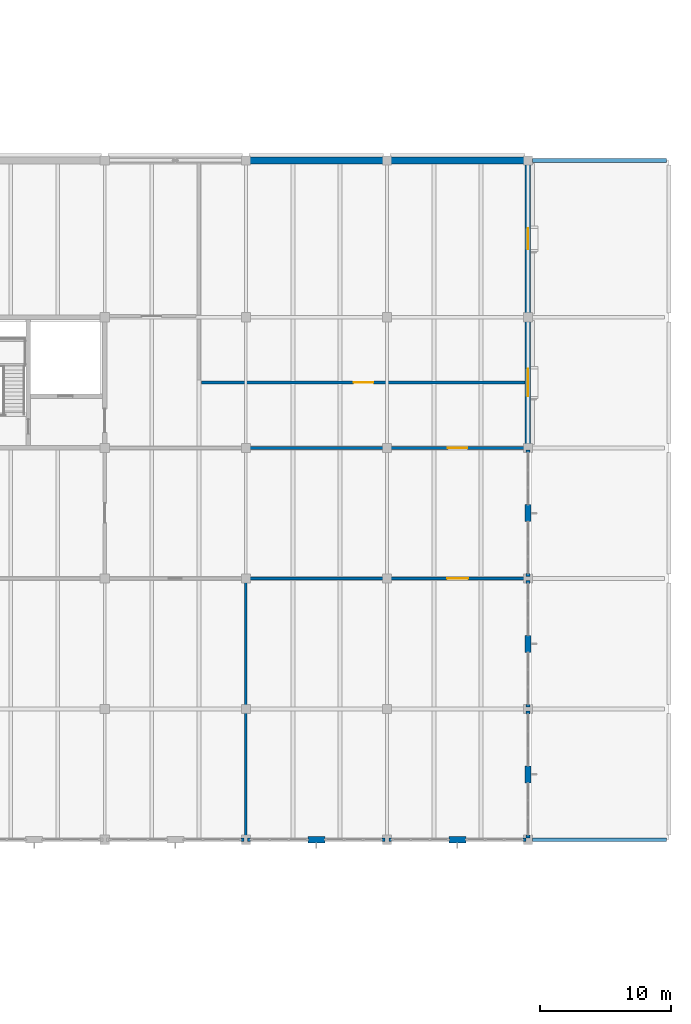
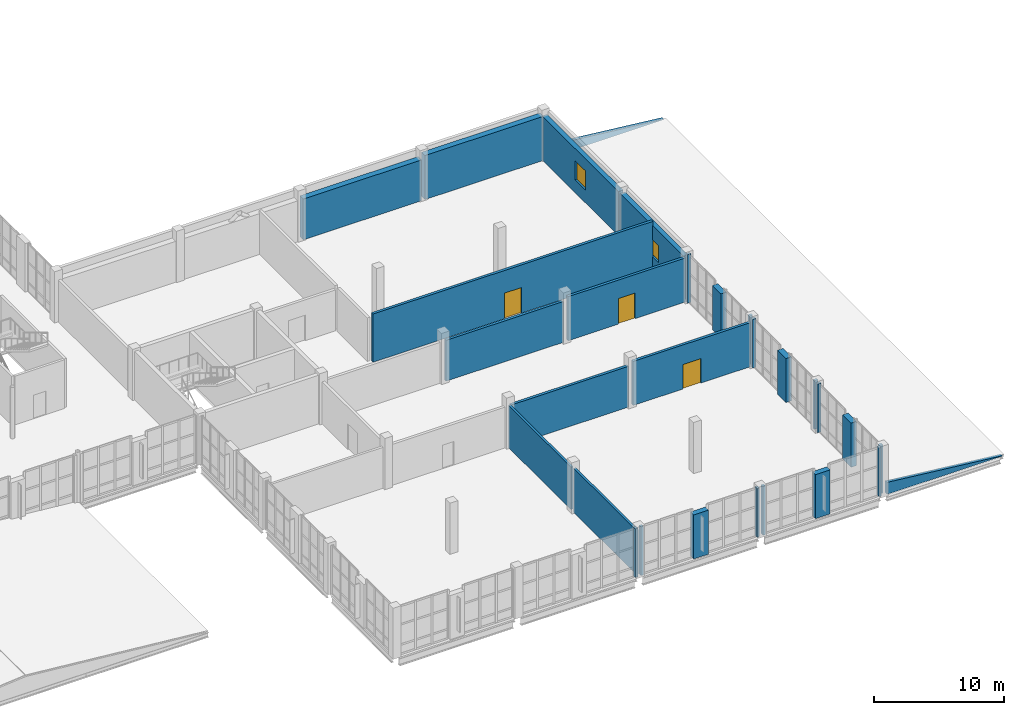
# One storey, part 80 of 92: 29 walls, 3 doors, 2 windows, 5 openings.
"""IFC4 building model written with IfcOpenShell, lengths in metres."""

from ifc_helpers import new_model, si_unit, direction, frame, frame_2d, origin, place, context, subcontext, project, spatial, polyline, rectangle, outline, extrude, material, layer, layer_set, type_object, element, fill, save


model = new_model("IFC4")

# Units and contexts
model_context = context("Model", 3, precision=1e-05, world=origin(), true_north=direction((0.0, 1.0)))
body_context = subcontext(model_context, "Body", "Model", "MODEL_VIEW")
ifc_project = project(units=[si_unit("LENGTHUNIT", "METRE"), si_unit("AREAUNIT", "SQUARE_METRE"), si_unit("VOLUMEUNIT", "CUBIC_METRE"), si_unit("PLANEANGLEUNIT", "RADIAN"), si_unit("MASSUNIT", "GRAM", prefix="KILO")], contexts=[model_context])

# Site, building, storey
site_placement = place(None, origin())
site = spatial("IfcSite", under=ifc_project, at=site_placement, CompositionType="ELEMENT")
building_placement = place(site_placement, origin())
building = spatial("IfcBuilding", under=site, at=building_placement, Name="Tasgan Crest Museum", CompositionType="ELEMENT")
storey_placement = place(building_placement, frame((0.0, 0.0, 4.800048828125)))
storey = spatial("IfcBuildingStorey", under=building, at=storey_placement, Name="L01", CompositionType="ELEMENT", Elevation=4.800048828125)

# Walls
ifc_material_1 = material(Name="Precast concrete C40/50", Category="concrete")
ifc_layer_1 = layer(ifc_material_1, 0.320068359375, Name="WL-EXT-CLER-320")
ifc_layer_set_1 = layer_set([ifc_layer_1], Name="Precast concrete C40/50")
wall_type_1 = type_object("IfcWallType", Name="WL-EXT-CLER-320", PredefinedType="STANDARD", material=ifc_layer_set_1)
wall_1_placement = place(storey_placement, frame((129.22998046875, 10.0, 0.0), z_axis=(0.0, 0.0, 1.0), x_axis=(1.0, 0.0, 0.0)))
element("IfcWall", 1, at=wall_1_placement, inside=storey, type_object=wall_type_1, Name="Curtain wall jamb closure L01 JR", PredefinedType="STANDARD", context=body_context, shape_type="SweptSolid", body=[
    extrude(rectangle(XDim=0.22509765625, YDim=0.300048828125, at=frame_2d((0.112548828125, 0.0))), origin(), (0.0, 0.0, 1.0), 4.56005859375),
])
for number, where, z_axis, x_axis, name in (
    (2, (129.7451171875, 10.0, 0.0), (0.0, 0.0, 1.0), (1.0, 0.0, 0.0), "Curtain wall jamb closure L01 JL"),
    (3, (140.030029296875, 10.0, 0.0), (0.0, 0.0, 1.0), (1.0, 0.0, 0.0), "Curtain wall jamb closure L01 JR"),
):
    element("IfcWall", number, at=place(storey_placement, frame(where, z_axis=z_axis, x_axis=x_axis)), inside=storey, type_object=wall_type_1, Name=name, PredefinedType="STANDARD", context=body_context, shape_type="SweptSolid", body=[
        extrude(rectangle(XDim=0.224853515625, YDim=0.300048828125, at=frame_2d((0.1123046875, 0.0))), origin(), (0.0, 0.0, 1.0), 4.56005859375),
    ])
wall_2_placement = place(storey_placement, frame((140.544921875, 10.0, 0.0), z_axis=(0.0, 0.0, 1.0), x_axis=(1.0, 0.0, 0.0)))
element("IfcWall", 4, at=wall_2_placement, inside=storey, type_object=wall_type_1, Name="Curtain wall jamb closure L01 JL", PredefinedType="STANDARD", context=body_context, shape_type="SweptSolid", body=[
    extrude(rectangle(XDim=0.22509765625, YDim=0.300048828125, at=frame_2d((0.112548828125, 0.0))), origin(), (0.0, 0.0, 1.0), 4.56005859375),
])
wall_3_placement = place(storey_placement, frame((150.830078125, 10.0, 0.0), z_axis=(0.0, 0.0, 1.0), x_axis=(1.0, 0.0, 0.0)))
element("IfcWall", 5, at=wall_3_placement, inside=storey, type_object=wall_type_1, Name="Curtain wall jamb closure L01 JR", PredefinedType="STANDARD", context=body_context, shape_type="SweptSolid", body=[
    extrude(rectangle(XDim=0.224853515625, YDim=0.300048828125, at=frame_2d((0.1123046875, 0.0))), origin(), (0.0, 0.0, 1.0), 4.56005859375),
])
for number, where, z_axis, x_axis, name in (
    (6, (151.199951171875, 10.14501953125, 0.0), (0.0, 0.0, 1.0), (0.0, 1.0, 0.0), "Curtain wall jamb closure L01 JL"),
    (7, (151.199951171875, 19.6298828125, 0.0), (0.0, 0.0, 1.0), (0.0, 1.0, 0.0), "Curtain wall jamb closure L01 JR"),
    (8, (151.199951171875, 20.14501953125, 0.0), (0.0, 0.0, 1.0), (0.0, 1.0, 0.0), "Curtain wall jamb closure L01 JL"),
    (9, (151.199951171875, 29.6298828125, 0.0), (0.0, 0.0, 1.0), (0.0, 1.0, 0.0), "Curtain wall jamb closure L01 JR"),
    (10, (151.199951171875, 30.14501953125, 0.0), (0.0, 0.0, 1.0), (0.0, 1.0, 0.0), "Curtain wall jamb closure L01 JL"),
    (11, (151.199951171875, 39.6298828125, 0.0), (0.0, 0.0, 1.0), (0.0, 1.0, 0.0), "Curtain wall jamb closure L01 JR"),
):
    element("IfcWall", number, at=place(storey_placement, frame(where, z_axis=z_axis, x_axis=x_axis)), inside=storey, type_object=wall_type_1, Name=name, PredefinedType="STANDARD", context=body_context, shape_type="SweptSolid", body=[
        extrude(rectangle(XDim=0.22509765625, YDim=0.300048828125, at=frame_2d((0.112548828125, 0.0))), origin(), (0.0, 0.0, 1.0), 4.56005859375),
    ])
for number, where, z_axis, x_axis, name in (
    (12, (151.550048828125, 10.0, -0.02001953125), (0.0, 0.0, 1.0), (1.0, 0.0, 0.0), "Sloped roof gable wall V3-L00-S"),
    (13, (151.550048828125, 62.0, -0.02001953125), (0.0, 0.0, 1.0), (1.0, 0.0, 0.0), "Sloped roof gable wall V3-L00-N"),
):
    element("IfcWall", number, at=place(storey_placement, frame(where, z_axis=z_axis, x_axis=x_axis)), inside=storey, type_object=wall_type_1, Name=name, PredefinedType="STANDARD", context=body_context, shape_type="SweptSolid", body=[
        extrude(outline(polyline([(0.0, 0.0), (10.25, 0.0), (10.25, 0.0400390625), (0.0, 1.119873046875), (0.0, 0.0)])), frame((0.0, 0.14013671875, 0.0), z_axis=(0.0, -1.0, 0.0), x_axis=(1.0, 0.0, 0.0)), (0.0, 0.0, 1.0), 0.280029296875),
    ])
ifc_material_2 = material(Name="Precast concrete C40/50", Category="concrete")
ifc_layer_2 = layer(ifc_material_2, 0.47998046875, Name="WL-EXT-GRAN-480")
ifc_layer_set_2 = layer_set([ifc_layer_2], Name="Precast concrete C40/50")
wall_type_2 = type_object("IfcWallType", Name="WL-EXT-GRAN-480", PredefinedType="STANDARD", material=ifc_layer_set_2)
wall_4_placement = place(storey_placement, frame((134.35009765625, 10.0, 0.0), z_axis=(0.0, 0.0, 1.0), x_axis=(1.0, 0.0, 0.0)))
element("IfcWall", 14, at=wall_4_placement, inside=storey, type_object=wall_type_2, Name="Postmodern facade stone pier L01", PredefinedType="STANDARD", context=body_context, shape_type="SweptSolid", body=[
    extrude(rectangle(XDim=1.2998046875, YDim=0.47998046875, at=frame_2d((0.64990234375, 0.0))), origin(), (0.0, 0.0, 1.0), 4.1298828125),
])
wall_5_placement = place(storey_placement, frame((145.14990234375, 10.0, 0.0), z_axis=(0.0, 0.0, 1.0), x_axis=(1.0, 0.0, 0.0)))
element("IfcWall", 15, at=wall_5_placement, inside=storey, type_object=wall_type_2, Name="Postmodern facade stone pier L01", PredefinedType="STANDARD", context=body_context, shape_type="SweptSolid", body=[
    extrude(rectangle(XDim=1.300048828125, YDim=0.47998046875, at=frame_2d((0.64990234375, 0.0))), origin(), (0.0, 0.0, 1.0), 4.1298828125),
])
for number, where, z_axis, x_axis, name in (
    (16, (151.199951171875, 14.35009765625, 0.0), (0.0, 0.0, 1.0), (0.0, 1.0, 0.0), "Postmodern facade stone pier L01"),
    (17, (151.199951171875, 24.35009765625, 0.0), (0.0, 0.0, 1.0), (0.0, 1.0, 0.0), "Postmodern facade stone pier L01"),
    (18, (151.199951171875, 34.35009765625, 0.0), (0.0, 0.0, 1.0), (0.0, 1.0, 0.0), "Postmodern facade stone pier L01"),
):
    element("IfcWall", number, at=place(storey_placement, frame(where, z_axis=z_axis, x_axis=x_axis)), inside=storey, type_object=wall_type_2, Name=name, PredefinedType="STANDARD", context=body_context, shape_type="SweptSolid", body=[
        extrude(rectangle(XDim=1.2998046875, YDim=0.47998046875, at=frame_2d((0.64990234375, 0.0))), origin(), (0.0, 0.0, 1.0), 4.1298828125),
    ])

# Wall, opening, window
ifc_material_3 = material(Name="Precast concrete C40/50", Category="concrete")
ifc_layer_3 = layer(ifc_material_3, 0.419921875, Name="WL-EXT-SAND-420")
ifc_layer_set_3 = layer_set([ifc_layer_3], Name="Precast concrete C40/50")
wall_type_3 = type_object("IfcWallType", Name="WL-EXT-SAND-420", PredefinedType="STANDARD", material=ifc_layer_set_3)
wall_6_placement = place(storey_placement, frame((151.199951171875, 40.14501953125, 0.0), z_axis=(0.0, 0.0, 1.0), x_axis=(0.0, 1.0, 0.0)))
wall_6 = element("IfcWall", 19, at=wall_6_placement, inside=storey, type_object=wall_type_3, Name="Exterior wall L01 (151.2,45.0)", PredefinedType="STANDARD", context=body_context, shape_type="SweptSolid", body=[
    extrude(rectangle(XDim=9.7099609375, YDim=0.419921875, at=frame_2d((4.85498046875, 0.0))), origin(), (0.0, 0.0, 1.0), 4.1298828125),
])
opening_1_placement = place(wall_6_placement, frame((3.804931640625, 0.0, 1.199951171875)))
opening_1 = element("IfcOpeningElement", 20, at=opening_1_placement, cuts=wall_6, Name="Opening W12", PredefinedType="OPENING", context=body_context, shape_type="SweptSolid", body=[
    extrude(rectangle(XDim=2.10009765625, YDim=1.60009765625, at=frame_2d((1.050048828125, 0.800048828125))), frame((0.0, 0.219970703125, 0.0), z_axis=(0.0, -1.0, 0.0), x_axis=(1.0, 0.0, 0.0)), (0.0, 0.0, 1.0), 0.43994140625),
])
ifc_material_4 = material(Name="Thermally Broken Triple-Glazed Aluminium", Category="aluminium")
window_type_1 = type_object("IfcWindowType", Name="WN-LAB-2100X1600", PartitioningType="SINGLE_PANEL", PredefinedType="WINDOW", material=ifc_material_4)
window_1_placement = place(opening_1_placement, origin())
window_1 = element("IfcWindow", 21, at=window_1_placement, inside=storey, type_object=window_type_1, Name="Window W12 L01-023", OverallHeight=1.60009765625, OverallWidth=2.10009765625, PartitioningType="SINGLE_PANEL", PredefinedType="WINDOW", context=body_context, shape_type="SweptSolid", body=[
    extrude(rectangle(XDim=2.10009765625, YDim=1.60009765625, at=frame_2d((1.050048828125, 0.800048828125))), frame((0.0, 0.030029296875, 0.0), z_axis=(0.0, -1.0, 0.0), x_axis=(1.0, 0.0, 0.0)), (0.0, 0.0, 1.0), 0.06005859375),
])
fill(opening_1, window_1)

wall_7_placement = place(storey_placement, frame((151.199951171875, 50.14501953125, 0.0), z_axis=(0.0, 0.0, 1.0), x_axis=(0.0, 1.0, 0.0)))
wall_7 = element("IfcWall", 22, at=wall_7_placement, inside=storey, type_object=wall_type_3, Name="Exterior wall L01 (151.2,56.0)", PredefinedType="STANDARD", context=body_context, shape_type="SweptSolid", body=[
    extrude(rectangle(XDim=11.7099609375, YDim=0.419921875, at=frame_2d((5.85498046875, 0.0))), origin(), (0.0, 0.0, 1.0), 4.1298828125),
])
opening_2_placement = place(wall_7_placement, frame((5.054931640625, 0.0, 1.199951171875)))
opening_2 = element("IfcOpeningElement", 23, at=opening_2_placement, cuts=wall_7, Name="Opening W11", PredefinedType="OPENING", context=body_context, shape_type="SweptSolid", body=[
    extrude(rectangle(XDim=1.60009765625, YDim=1.800048828125, at=frame_2d((0.800048828125, 0.89990234375))), frame((0.0, 0.219970703125, 0.0), z_axis=(0.0, -1.0, 0.0), x_axis=(1.0, 0.0, 0.0)), (0.0, 0.0, 1.0), 0.43994140625),
])
ifc_material_5 = material(Name="Thermally Broken Triple-Glazed Aluminium", Category="aluminium")
window_type_2 = type_object("IfcWindowType", Name="WN-LAB-1600X1800", PartitioningType="SINGLE_PANEL", PredefinedType="WINDOW", material=ifc_material_5)
window_2_placement = place(opening_2_placement, origin())
window_2 = element("IfcWindow", 24, at=window_2_placement, inside=storey, type_object=window_type_2, Name="Window W11 L01-024", OverallHeight=1.800048828125, OverallWidth=1.60009765625, PartitioningType="SINGLE_PANEL", PredefinedType="WINDOW", context=body_context, shape_type="SweptSolid", body=[
    extrude(rectangle(XDim=1.60009765625, YDim=1.800048828125, at=frame_2d((0.800048828125, 0.89990234375))), frame((0.0, 0.030029296875, 0.0), z_axis=(0.0, -1.0, 0.0), x_axis=(1.0, 0.0, 0.0)), (0.0, 0.0, 1.0), 0.06005859375),
])
fill(opening_2, window_2)

# Walls
ifc_material_6 = material(Name="Concrete C40/50", Category="concrete")
ifc_layer_4 = layer(ifc_material_6, 0.52001953125, Name="WL-EXT-VAULT-520")
ifc_layer_set_4 = layer_set([ifc_layer_4], Name="Concrete C40/50")
wall_type_4 = type_object("IfcWallType", Name="WL-EXT-VAULT-520", PredefinedType="SOLIDWALL", material=ifc_layer_set_4)
wall_8_placement = place(storey_placement, frame((151.054931640625, 62.0, 0.0), z_axis=(0.0, 0.0, 1.0), x_axis=(-1.0, 0.0, 0.0)))
element("IfcWall", 25, at=wall_8_placement, inside=storey, type_object=wall_type_4, Name="Exterior wall L01 (145.8,62.0)", PredefinedType="SOLIDWALL", context=body_context, shape_type="SweptSolid", body=[
    extrude(rectangle(XDim=10.510009765625, YDim=0.52001953125, at=frame_2d((5.2548828125, 0.0))), origin(), (0.0, 0.0, 1.0), 4.1298828125),
])
wall_9_placement = place(storey_placement, frame((140.2548828125, 62.0, 0.0), z_axis=(0.0, 0.0, 1.0), x_axis=(-1.0, 0.0, 0.0)))
element("IfcWall", 26, at=wall_9_placement, inside=storey, type_object=wall_type_4, Name="Exterior wall L01 (135.0,62.0)", PredefinedType="SOLIDWALL", context=body_context, shape_type="SweptSolid", body=[
    extrude(rectangle(XDim=10.509765625, YDim=0.52001953125, at=frame_2d((5.2548828125, 0.0))), origin(), (0.0, 0.0, 1.0), 3.829833984375),
])
ifc_material_7 = material(Name="Concrete C40/50", Category="concrete")
ifc_layer_5 = layer(ifc_material_7, 0.199951171875, Name="WL-FIRE-200")
ifc_layer_set_5 = layer_set([ifc_layer_5], Name="Concrete C40/50")
wall_type_5 = type_object("IfcWallType", Name="WL-FIRE-200", PredefinedType="SOLIDWALL", material=ifc_layer_set_5)
wall_10_placement = place(storey_placement, frame((129.60009765625, 10.179931640625, 0.0), z_axis=(0.0, 0.0, 1.0), x_axis=(0.0, 1.0, 0.0)))
element("IfcWall", 27, at=wall_10_placement, inside=storey, type_object=wall_type_5, Name="Partition Dry Conservation Laboratory / Radiography and Imaging Conservation Laboratory L01", PredefinedType="SOLIDWALL", context=body_context, shape_type="SweptSolid", body=[
    extrude(rectangle(XDim=9.6201171875, YDim=0.199951171875, at=frame_2d((4.81005859375, 0.0))), origin(), (0.0, 0.0, 1.0), 4.1298828125),
])
wall_11_placement = place(storey_placement, frame((129.60009765625, 20.199951171875, 0.0), z_axis=(0.0, 0.0, 1.0), x_axis=(0.0, 1.0, 0.0)))
element("IfcWall", 28, at=wall_11_placement, inside=storey, type_object=wall_type_5, Name="Partition Dry Conservation Laboratory / Radiography and Imaging Conservation Laboratory L01", PredefinedType="SOLIDWALL", context=body_context, shape_type="SweptSolid", body=[
    extrude(rectangle(XDim=9.60009765625, YDim=0.199951171875, at=frame_2d((4.800048828125, 0.0))), origin(), (0.0, 0.0, 1.0), 3.968994140625),
])
ifc_material_8 = material(Name="Concrete C40/50", Category="concrete")
ifc_layer_6 = layer(ifc_material_8, 0.239990234375, Name="WL-FIRE-240")
ifc_layer_set_6 = layer_set([ifc_layer_6], Name="Concrete C40/50")
wall_type_6 = type_object("IfcWallType", Name="WL-FIRE-240", PredefinedType="SOLIDWALL", material=ifc_layer_set_6)
wall_12_placement = place(storey_placement, frame((129.800048828125, 30.0, 0.0), z_axis=(0.0, 0.0, 1.0), x_axis=(1.0, 0.0, 0.0)))
element("IfcWall", 29, at=wall_12_placement, inside=storey, type_object=wall_type_6, Name="Partition Radiography and Imaging Conservation Laboratory / Collection Archive 101 L01", PredefinedType="SOLIDWALL", context=body_context, shape_type="SweptSolid", body=[
    extrude(rectangle(XDim=10.39990234375, YDim=0.239990234375, at=frame_2d((5.199951171875, 0.0))), origin(), (0.0, 0.0, 1.0), 3.829833984375),
])

# Wall, opening, door
wall_13_placement = place(storey_placement, frame((140.60009765625, 30.0, 0.0), z_axis=(0.0, 0.0, 1.0), x_axis=(1.0, 0.0, 0.0)))
wall_13 = element("IfcWall", 30, at=wall_13_placement, inside=storey, type_object=wall_type_6, Name="Partition Radiography and Imaging Conservation Laboratory / Collection Archive 101 L01", PredefinedType="SOLIDWALL", context=body_context, shape_type="SweptSolid", body=[
    extrude(rectangle(XDim=10.419921875, YDim=0.239990234375, at=frame_2d((5.2099609375, 0.0))), origin(), (0.0, 0.0, 1.0), 4.1298828125),
])
opening_3_placement = place(wall_13_placement, frame((4.409912109375, 0.0, 0.0)))
opening_3 = element("IfcOpeningElement", 31, at=opening_3_placement, cuts=wall_13, Name="Opening D033", PredefinedType="OPENING", context=body_context, shape_type="SweptSolid", body=[
    extrude(rectangle(XDim=1.60009765625, YDim=2.300048828125, at=frame_2d((0.800048828125, 1.14990234375))), frame((0.0, 0.1298828125, 0.0), z_axis=(0.0, -1.0, 0.0), x_axis=(1.0, 0.0, 0.0)), (0.0, 0.0, 1.0), 0.260009765625),
])
ifc_material_9 = material(Name="Conservation Laboratory Leaf-and-Half Door")
door_type_1 = type_object("IfcDoorType", Name="DR-LAB-1600", OperationType="NOTDEFINED", PredefinedType="DOOR", material=ifc_material_9)
door_1_placement = place(opening_3_placement, origin())
door_1 = element("IfcDoor", 32, at=door_1_placement, inside=storey, type_object=door_type_1, Name="Radiography and Imaging Conservation Laboratory door D033", OperationType="SINGLE_SWING_RIGHT", OverallHeight=2.300048828125, OverallWidth=1.60009765625, PredefinedType="DOOR", context=body_context, shape_type="SweptSolid", body=[
    extrude(rectangle(XDim=1.60009765625, YDim=2.300048828125, at=frame_2d((0.800048828125, 1.14990234375))), frame((0.0, 0.02490234375, 0.0), z_axis=(0.0, -1.0, 0.0), x_axis=(1.0, 0.0, 0.0)), (0.0, 0.0, 1.0), 0.050048828125),
])
fill(opening_3, door_1)

# Wall
wall_14_placement = place(storey_placement, frame((129.800048828125, 40.0, 0.0), z_axis=(0.0, 0.0, 1.0), x_axis=(1.0, 0.0, 0.0)))
element("IfcWall", 33, at=wall_14_placement, inside=storey, type_object=wall_type_6, Name="Partition Collection Archive 101 / First Floor Archive Corridor L01", PredefinedType="SOLIDWALL", context=body_context, shape_type="SweptSolid", body=[
    extrude(rectangle(XDim=10.39990234375, YDim=0.239990234375, at=frame_2d((5.199951171875, 0.0))), origin(), (0.0, 0.0, 1.0), 3.829833984375),
])

# Wall, opening, door
wall_15_placement = place(storey_placement, frame((140.60009765625, 40.0, 0.0), z_axis=(0.0, 0.0, 1.0), x_axis=(1.0, 0.0, 0.0)))
wall_15 = element("IfcWall", 34, at=wall_15_placement, inside=storey, type_object=wall_type_6, Name="Partition Collection Archive 101 / First Floor Archive Corridor L01", PredefinedType="SOLIDWALL", context=body_context, shape_type="SweptSolid", body=[
    extrude(rectangle(XDim=10.419921875, YDim=0.239990234375, at=frame_2d((5.2099609375, 0.0))), origin(), (0.0, 0.0, 1.0), 4.1298828125),
])
opening_4_placement = place(wall_15_placement, frame((4.4599609375, 0.0, 0.0)))
opening_4 = element("IfcOpeningElement", 35, at=opening_4_placement, cuts=wall_15, Name="Opening D038", PredefinedType="OPENING", context=body_context, shape_type="SweptSolid", body=[
    extrude(rectangle(XDim=1.5, YDim=2.39990234375, at=frame_2d((0.75, 1.199951171875))), frame((0.0, 0.1298828125, 0.0), z_axis=(0.0, -1.0, 0.0), x_axis=(1.0, 0.0, 0.0)), (0.0, 0.0, 1.0), 0.260009765625),
])
ifc_material_10 = material(Name="Insulated Archive Vault Steel Door", Category="steel")
door_type_2 = type_object("IfcDoorType", Name="DR-VAULT-1500", OperationType="NOTDEFINED", PredefinedType="DOOR", material=ifc_material_10)
door_2_placement = place(opening_4_placement, origin())
door_2 = element("IfcDoor", 36, at=door_2_placement, inside=storey, type_object=door_type_2, Name="Collection Archive 101 door D038", OperationType="SINGLE_SWING_RIGHT", OverallHeight=2.39990234375, OverallWidth=1.5, PredefinedType="DOOR", context=body_context, shape_type="SweptSolid", body=[
    extrude(rectangle(XDim=1.5, YDim=2.39990234375, at=frame_2d((0.75, 1.199951171875))), frame((0.0, 0.02490234375, 0.0), z_axis=(0.0, -1.0, 0.0), x_axis=(1.0, 0.0, 0.0)), (0.0, 0.0, 1.0), 0.050048828125),
])
fill(opening_4, door_2)

wall_16_placement = place(storey_placement, frame((126.199951171875, 45.0, 0.0), z_axis=(0.0, 0.0, 1.0), x_axis=(1.0, 0.0, 0.0)))
wall_16 = element("IfcWall", 37, at=wall_16_placement, inside=storey, type_object=wall_type_6, Name="Partition First Floor Archive Corridor / Herpetology Specimen Archive 102 L01", PredefinedType="SOLIDWALL", context=body_context, shape_type="SweptSolid", body=[
    extrude(rectangle(XDim=24.820068359375, YDim=0.239990234375, at=frame_2d((12.41015625, 0.0))), origin(), (0.0, 0.0, 1.0), 4.52001953125),
])
opening_5_placement = place(wall_16_placement, frame((11.659912109375, 0.0, 0.0)))
opening_5 = element("IfcOpeningElement", 38, at=opening_5_placement, cuts=wall_16, Name="Opening D040", PredefinedType="OPENING", context=body_context, shape_type="SweptSolid", body=[
    extrude(rectangle(XDim=1.5, YDim=2.39990234375, at=frame_2d((0.75, 1.199951171875))), frame((0.0, 0.1298828125, 0.0), z_axis=(0.0, -1.0, 0.0), x_axis=(1.0, 0.0, 0.0)), (0.0, 0.0, 1.0), 0.260009765625),
])
door_3_placement = place(opening_5_placement, origin())
door_3 = element("IfcDoor", 39, at=door_3_placement, inside=storey, type_object=door_type_2, Name="Herpetology Specimen Archive 102 door D040", OperationType="SINGLE_SWING_RIGHT", OverallHeight=2.39990234375, OverallWidth=1.5, PredefinedType="DOOR", context=body_context, shape_type="SweptSolid", body=[
    extrude(rectangle(XDim=1.5, YDim=2.39990234375, at=frame_2d((0.75, 1.199951171875))), frame((0.0, 0.02490234375, 0.0), z_axis=(0.0, -1.0, 0.0), x_axis=(1.0, 0.0, 0.0)), (0.0, 0.0, 1.0), 0.050048828125),
])
fill(opening_5, door_3)

save(model, "model.ifc")
